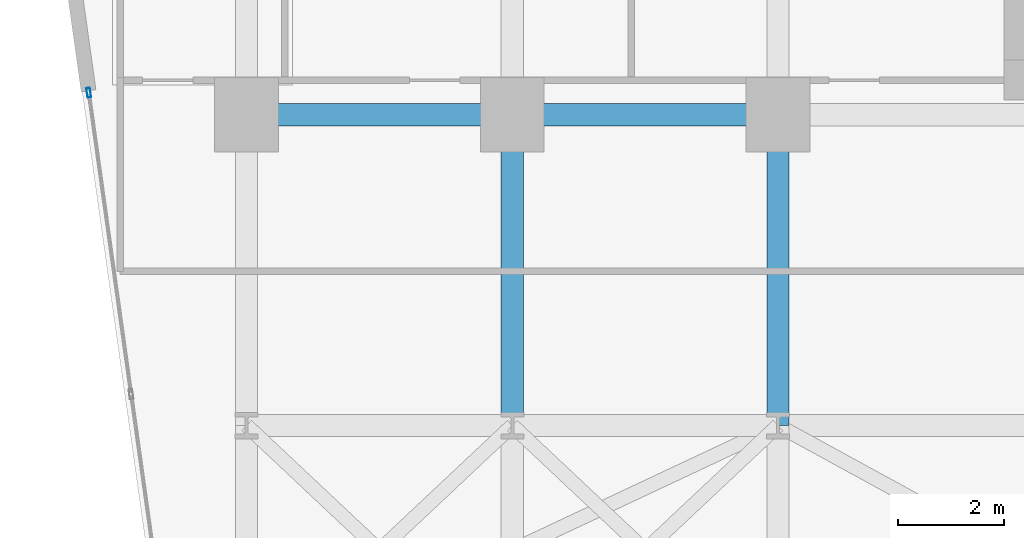
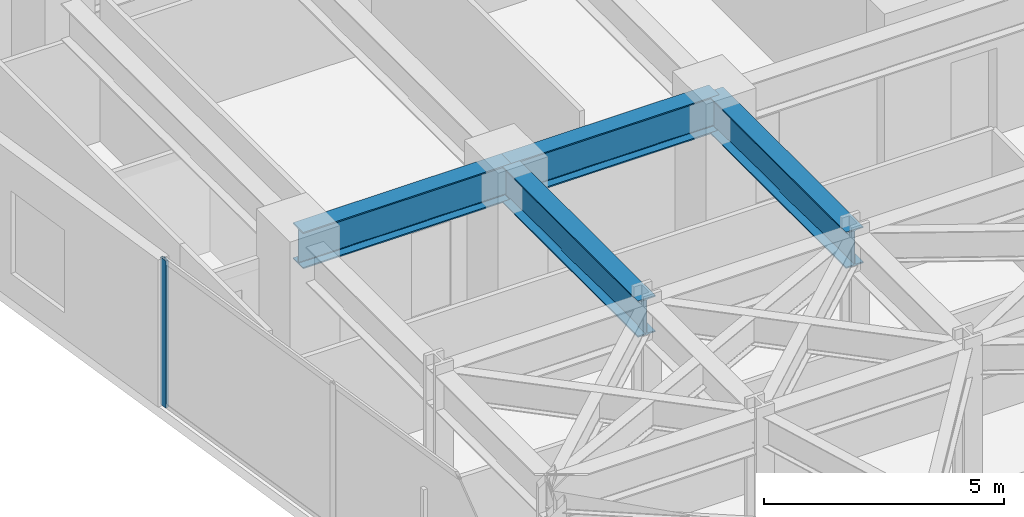
# One storey, part 17 of 25: 4 beams, 1 member, 1 element without a shape of its own.
"""IFC4 building model written with IfcOpenShell, lengths in metres."""

from ifc_helpers import new_model, si_unit, direction, frame, origin, origin_2d, place, context, subcontext, project, spatial, hollow_rectangle, i_section, extrude, material, layer, layer_set, material_profile, profile_set, type_object, element, aggregate, save


model = new_model("IFC4")

# Units and contexts
model_context = context("Model", 3, precision=1e-05, world=origin(), true_north=direction((0.0, 1.0)))
body_context = subcontext(model_context, "Body", "Model", "MODEL_VIEW")
ifc_project = project(units=[si_unit("LENGTHUNIT", "METRE"), si_unit("AREAUNIT", "SQUARE_METRE"), si_unit("VOLUMEUNIT", "CUBIC_METRE"), si_unit("PLANEANGLEUNIT", "RADIAN"), si_unit("MASSUNIT", "GRAM", prefix="KILO")], contexts=[model_context])

# Site, building, storey
site_placement = place(None, origin())
site = spatial("IfcSite", under=ifc_project, at=site_placement, CompositionType="ELEMENT")
building_placement = place(site_placement, origin())
building = spatial("IfcBuilding", under=site, at=building_placement, Name="Kravanh Interchange Tower", CompositionType="ELEMENT")
storey_placement = place(building_placement, frame((0.0, 0.0, 65.5)))
storey = spatial("IfcBuildingStorey", under=building, at=storey_placement, Name="L15", CompositionType="ELEMENT", Elevation=65.5)

# Curtain wall, member
ifc_material_1 = material(Name="Anodised Bronze Aluminium", Category="aluminium")
ifc_layer = layer(ifc_material_1, 0.179931640625)
ifc_layer_set = layer_set([ifc_layer], Name="Unitised Curtain Wall System CW-Z1 Lower Office")
curtain_wall_type = type_object("IfcCurtainWallType", Name="Unitised Curtain Wall System CW-Z1 Lower Office", PredefinedType="NOTDEFINED", material=ifc_layer_set)
curtain_wall_placement = place(storey_placement, origin())
curtain_wall = element("IfcCurtainWall", 1, at=curtain_wall_placement, inside=storey, type_object=curtain_wall_type, Name="L15 Unitised Curtain Wall CW-L15-01", PredefinedType="NOTDEFINED")
ifc_material_2 = material(Name="Anodised Bronze Aluminium", Category="aluminium")
ifc_material_profile_1 = material_profile(ifc_material_2, hollow_rectangle(XDim=0.070068359375, YDim=0.179931640625, WallThickness=0.00390625, at=origin_2d()), Name="ALU70X180X4")
ifc_profile_set_1 = profile_set([ifc_material_profile_1], Name="Anodised Bronze Aluminium")
member_type = type_object("IfcMemberType", Name="Curtain Wall Mullion ALU70X180X4 Bronze", PredefinedType="MULLION", material=ifc_profile_set_1)
member_placement = place(storey_placement, frame((5.6298828125, 37.765380859375, 0.0), z_axis=(0.0, 0.0, 1.0), x_axis=(-0.990267585682, -0.139176538065, 0.0)))
member = element("IfcMember", 2, at=member_placement, type_object=member_type, Name="CW-Z1 mullion 7", PredefinedType="MULLION", context=body_context, shape_type="SweptSolid", body=[
    extrude(hollow_rectangle(XDim=0.070068359375, YDim=0.179931640625, WallThickness=0.00390625, at=origin_2d()), origin(), (0.0, 0.0, 1.0), 3.739990234375),
])
aggregate(curtain_wall, [member])

# Beams
ifc_material_3 = material(Name="Structural Steel S355", Category="steel")
ifc_material_profile_2 = material_profile(ifc_material_3, i_section(OverallWidth=0.41796875, OverallDepth=0.927001953125, WebThickness=0.019287109375, FlangeThickness=0.031982421875, FilletRadius=0.028076171875, at=origin_2d()), Name="W36X231")
ifc_profile_set_2 = profile_set([ifc_material_profile_2], Name="Structural Steel S355")
beam_type = type_object("IfcBeamType", Name="Floor Beam W36X231 Structural Steel S355", PredefinedType="BEAM", material=ifc_profile_set_2)
beam_1_placement = place(storey_placement, frame((18.60009765625, 37.35009765625, 3.276611328125), z_axis=(-1.0, 0.0, 0.0), x_axis=(0.0, -1.0, 0.0)))
element("IfcBeam", 3, at=beam_1_placement, inside=storey, type_object=beam_type, Name="L15 Primary Floor Girder 28", PredefinedType="BEAM", context=body_context, shape_type="SweptSolid", body=[
    extrude(i_section(OverallWidth=0.41796875, OverallDepth=0.927001953125, WebThickness=0.019287109375, FlangeThickness=0.031982421875, FilletRadius=0.028076171875, at=origin_2d()), origin(), (0.0, 0.0, 1.0), 5.0),
])
beam_2_placement = place(storey_placement, frame((18.60009765625, 37.35009765625, 3.276611328125), z_axis=(0.0, -1.0, 0.0), x_axis=(1.0, 0.0, 0.0)))
element("IfcBeam", 4, at=beam_2_placement, inside=storey, type_object=beam_type, Name="L15 Primary Floor Girder 29", PredefinedType="BEAM", context=body_context, shape_type="SweptSolid", body=[
    extrude(i_section(OverallWidth=0.41796875, OverallDepth=0.927001953125, WebThickness=0.019287109375, FlangeThickness=0.031982421875, FilletRadius=0.028076171875, at=origin_2d()), origin(), (0.0, 0.0, 1.0), 5.85009765625),
])
beam_3_placement = place(storey_placement, frame((13.60009765625, 37.35009765625, 3.276611328125), z_axis=(-1.0, 0.0, 0.0), x_axis=(0.0, -1.0, 0.0)))
element("IfcBeam", 5, at=beam_3_placement, inside=storey, type_object=beam_type, Name="L15 Primary Floor Girder 32", PredefinedType="BEAM", context=body_context, shape_type="SweptSolid", body=[
    extrude(i_section(OverallWidth=0.41796875, OverallDepth=0.927001953125, WebThickness=0.019287109375, FlangeThickness=0.031982421875, FilletRadius=0.028076171875, at=origin_2d()), origin(), (0.0, 0.0, 1.0), 5.0),
])
beam_4_placement = place(storey_placement, frame((13.60009765625, 37.35009765625, 3.276611328125), z_axis=(0.0, -1.0, 0.0), x_axis=(1.0, 0.0, 0.0)))
element("IfcBeam", 6, at=beam_4_placement, inside=storey, type_object=beam_type, Name="L15 Primary Floor Girder 33", PredefinedType="BEAM", context=body_context, shape_type="SweptSolid", body=[
    extrude(i_section(OverallWidth=0.41796875, OverallDepth=0.927001953125, WebThickness=0.019287109375, FlangeThickness=0.031982421875, FilletRadius=0.028076171875, at=origin_2d()), origin(), (0.0, 0.0, 1.0), 5.85009765625),
])

save(model, "model.ifc")
